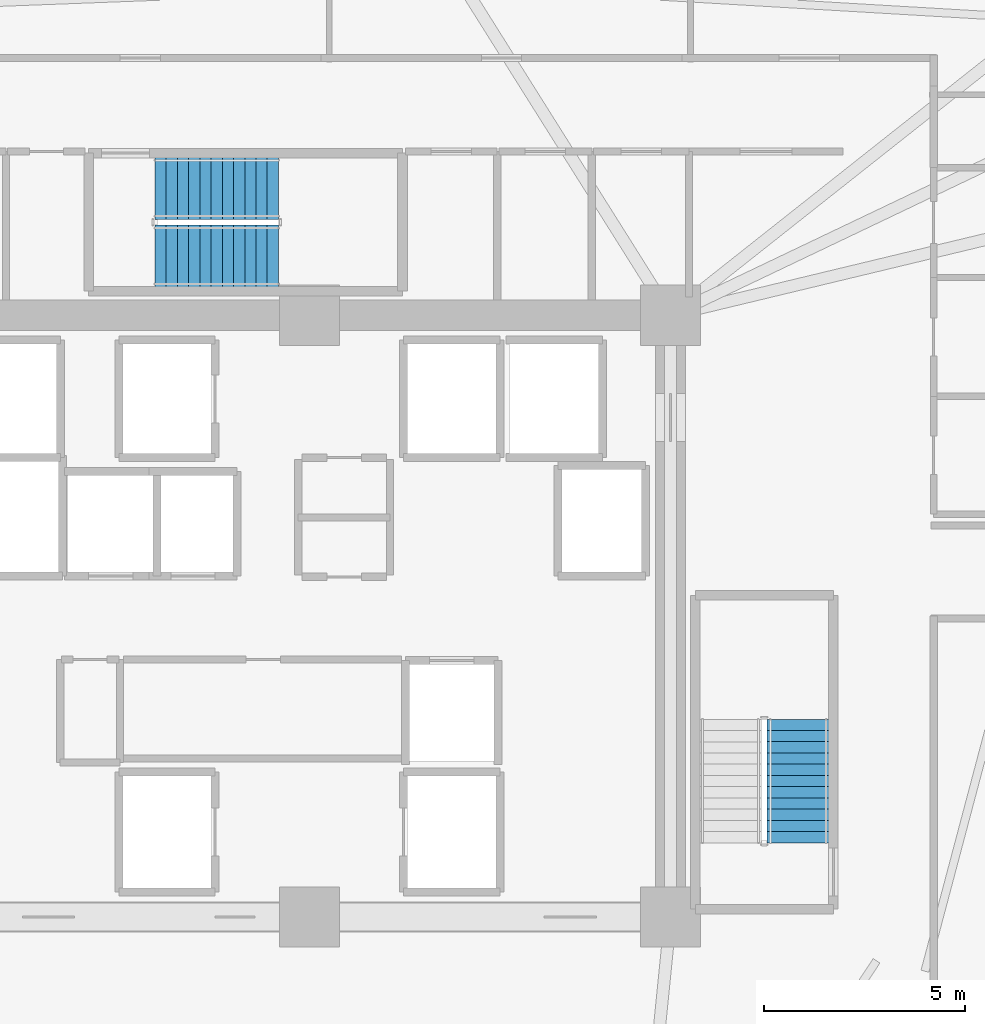
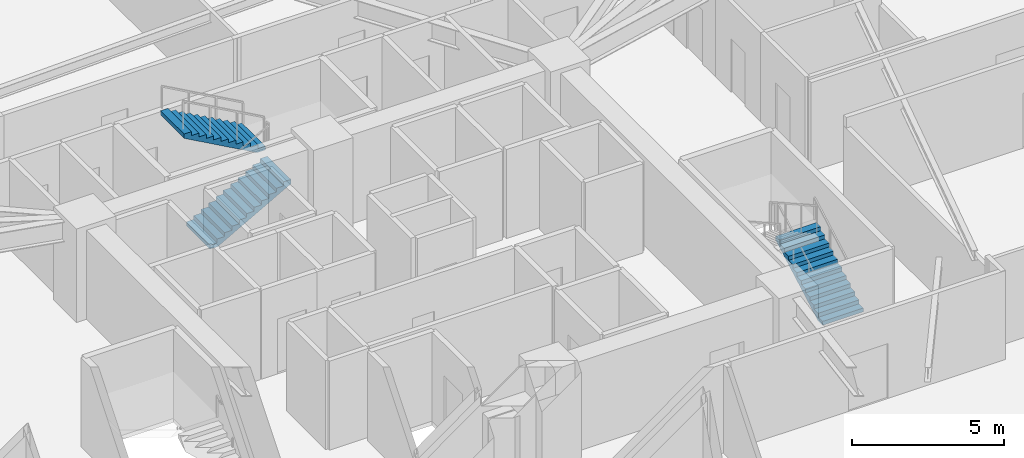
# One storey, part 8 of 9: 3 stair flights, 2 elements without a shape of their own.
"""IFC4 building model written with IfcOpenShell, lengths in metres."""

from ifc_helpers import new_model, si_unit, direction, frame, origin, place, context, subcontext, project, spatial, polyline, outline, extrude, material, type_object, element, aggregate, save


model = new_model("IFC4")

# Units and contexts
model_context = context("Model", 3, precision=1e-05, world=origin(), true_north=direction((0.0, 1.0)))
body_context = subcontext(model_context, "Body", "Model", "MODEL_VIEW")
ifc_project = project(units=[si_unit("LENGTHUNIT", "METRE"), si_unit("AREAUNIT", "SQUARE_METRE"), si_unit("VOLUMEUNIT", "CUBIC_METRE"), si_unit("PLANEANGLEUNIT", "RADIAN"), si_unit("MASSUNIT", "GRAM", prefix="KILO")], contexts=[model_context])

# Site, building, storey
site_placement = place(None, origin())
site = spatial("IfcSite", under=ifc_project, at=site_placement, CompositionType="ELEMENT")
building_placement = place(site_placement, origin())
building = spatial("IfcBuilding", under=site, at=building_placement, Name="Liaohun Quay Tower", CompositionType="ELEMENT")
storey_placement = place(building_placement, frame((0.0, 0.0, 128.25)))
storey = spatial("IfcBuildingStorey", under=building, at=storey_placement, Name="L33", CompositionType="ELEMENT", Elevation=128.25)

# Stair, stair flight
ifc_material = material(Name="Concrete C45", Category="concrete")
stair_type = type_object("IfcStairType", Name="STR-CORE-OFF", PredefinedType="HALF_TURN_STAIR", material=ifc_material)
stair_1_placement = place(storey_placement, origin())
stair_1 = element("IfcStair", 1, at=stair_1_placement, inside=storey, type_object=stair_type, Name="L33 Smokeproof Core Exit Stair ST-2", PredefinedType="HALF_TURN_STAIR")
stair_flight_type = type_object("IfcStairFlightType", Name="FLT-CORE-155", PredefinedType="STRAIGHT", material=ifc_material)
stair_flight_1_placement = place(storey_placement, frame((72.18505859375, 48.35009765625, 0.0), z_axis=(0.0, 0.0, 1.0), x_axis=(0.0, 1.0, 0.0)))
stair_flight_1 = element("IfcStairFlight", 2, at=stair_flight_1_placement, type_object=stair_flight_type, Name="ST-2 flight 1", NumberOfRisers=12, NumberOfTreads=11, PredefinedType="STRAIGHT", RiserHeight=0.15625, TreadLength=0.28, context=body_context, shape_type="SweptSolid", body=[
    extrude(outline(polyline([(0.0, 0.0), (0.0, 0.15625), (0.280029296875, 0.15625), (0.280029296875, 0.3125), (0.56005859375, 0.3125), (0.56005859375, 0.46875), (0.840087890625, 0.46875), (0.840087890625, 0.625), (1.1201171875, 0.625), (1.1201171875, 0.78125), (1.39990234375, 0.78125), (1.39990234375, 0.9375), (1.679931640625, 0.9375), (1.679931640625, 1.09375), (1.9599609375, 1.09375), (1.9599609375, 1.25), (2.239990234375, 1.25), (2.239990234375, 1.40625), (2.52001953125, 1.40625), (2.52001953125, 1.5625), (2.800048828125, 1.5625), (2.800048828125, 1.71875), (3.080078125, 1.71875), (3.080078125, 1.875), (3.080078125, 1.547119140625), (0.3076171875, 0.0), (0.0, 0.0)])), frame((0.0, 0.77490234375, 0.0), z_axis=(0.0, -1.0, 0.0), x_axis=(1.0, 0.0, 0.0)), (0.0, 0.0, 1.0), 1.550048828125),
])
aggregate(stair_1, [stair_flight_1])

# Stair, stair flights
stair_2_placement = place(storey_placement, origin())
stair_2 = element("IfcStair", 3, at=stair_2_placement, inside=storey, type_object=stair_type, Name="L33 Smokeproof Core Exit Stair ST-3", PredefinedType="HALF_TURN_STAIR")
stair_flight_2_placement = place(storey_placement, frame((56.14990234375, 62.97509765625, 0.0), z_axis=(0.0, 0.0, 1.0), x_axis=(1.0, 0.0, 0.0)))
stair_flight_2 = element("IfcStairFlight", 4, at=stair_flight_2_placement, type_object=stair_flight_type, Name="ST-3 flight 1", NumberOfRisers=12, NumberOfTreads=11, PredefinedType="STRAIGHT", RiserHeight=0.15625, TreadLength=0.28, context=body_context, shape_type="SweptSolid", body=[
    extrude(outline(polyline([(0.0, 0.0), (0.0, 0.15625), (0.280029296875, 0.15625), (0.280029296875, 0.3125), (0.56005859375, 0.3125), (0.56005859375, 0.46875), (0.840087890625, 0.46875), (0.840087890625, 0.625), (1.1201171875, 0.625), (1.1201171875, 0.78125), (1.39990234375, 0.78125), (1.39990234375, 0.9375), (1.679931640625, 0.9375), (1.679931640625, 1.09375), (1.9599609375, 1.09375), (1.9599609375, 1.25), (2.239990234375, 1.25), (2.239990234375, 1.40625), (2.52001953125, 1.40625), (2.52001953125, 1.5625), (2.800048828125, 1.5625), (2.800048828125, 1.71875), (3.080078125, 1.71875), (3.080078125, 1.875), (3.080078125, 1.547119140625), (0.3076171875, 0.0), (0.0, 0.0)])), frame((0.0, 0.77490234375, 0.0), z_axis=(0.0, -1.0, 0.0), x_axis=(1.0, 0.0, 0.0)), (0.0, 0.0, 1.0), 1.550048828125),
])
stair_flight_3_placement = place(storey_placement, frame((59.22998046875, 64.6650390625, 1.875), z_axis=(0.0, 0.0, 1.0), x_axis=(-1.0, 0.0, 0.0)))
stair_flight_3 = element("IfcStairFlight", 5, at=stair_flight_3_placement, type_object=stair_flight_type, Name="ST-3 flight 2", NumberOfRisers=12, NumberOfTreads=11, PredefinedType="STRAIGHT", RiserHeight=0.15625, TreadLength=0.28, context=body_context, shape_type="SweptSolid", body=[
    extrude(outline(polyline([(0.0, 0.0), (0.0, 0.15625), (0.280029296875, 0.15625), (0.280029296875, 0.3125), (0.56005859375, 0.3125), (0.56005859375, 0.46875), (0.840087890625, 0.46875), (0.840087890625, 0.625), (1.1201171875, 0.625), (1.1201171875, 0.78125), (1.39990234375, 0.78125), (1.39990234375, 0.9375), (1.679931640625, 0.9375), (1.679931640625, 1.09375), (1.9599609375, 1.09375), (1.9599609375, 1.25), (2.239990234375, 1.25), (2.239990234375, 1.40625), (2.52001953125, 1.40625), (2.52001953125, 1.5625), (2.800048828125, 1.5625), (2.800048828125, 1.71875), (3.080078125, 1.71875), (3.080078125, 1.875), (3.080078125, 1.547119140625), (0.3076171875, 0.0), (0.0, 0.0)])), frame((0.0, 0.77490234375, 0.0), z_axis=(0.0, -1.0, 0.0), x_axis=(1.0, 0.0, 0.0)), (0.0, 0.0, 1.0), 1.550048828125),
])
aggregate(stair_2, [stair_flight_2, stair_flight_3])

save(model, "model.ifc")
